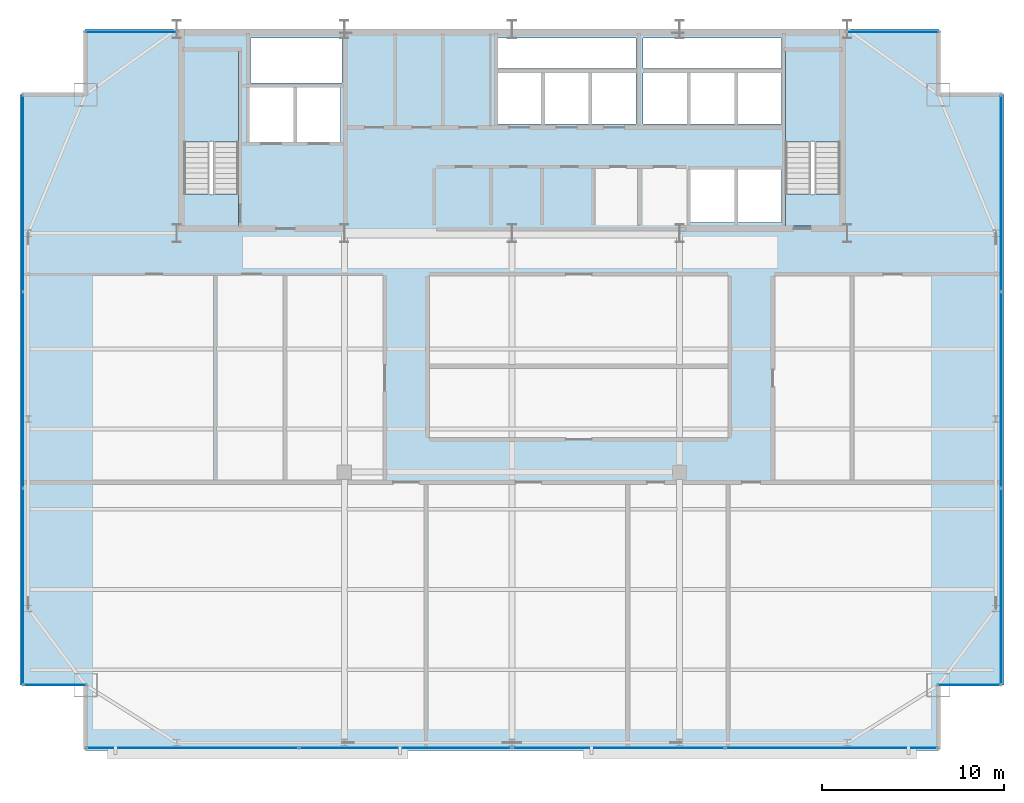
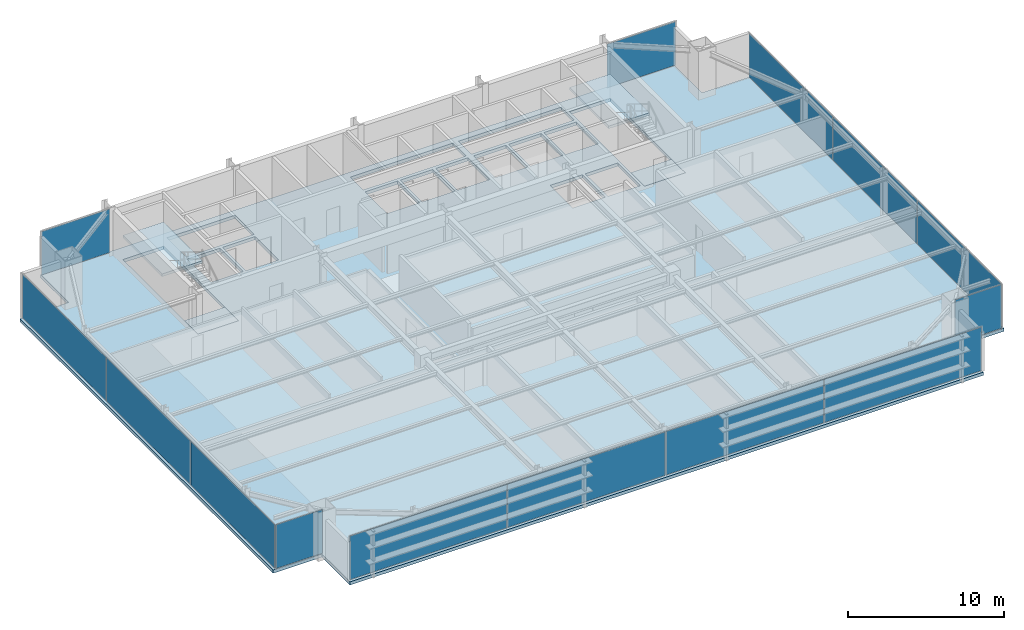
# One storey, part 22 of 29: 14 plates, 5 slabs, 9 elements without a shape of their own.
"""IFC4 building model written with IfcOpenShell, lengths in metres."""

from ifc_helpers import new_model, si_unit, direction, frame, origin, origin_2d, place, context, subcontext, project, spatial, polyline, rectangle, outline, extrude, source, transform, mapped, material, layer, layer_set, type_object, type_shapes, element, aggregate, save


model = new_model("IFC4")

# Units and contexts
model_context = context("Model", 3, precision=1e-05, world=origin(), true_north=direction((0.0, 1.0)))
body_context = subcontext(model_context, "Body", "Model", "MODEL_VIEW")
ifc_project = project(units=[si_unit("LENGTHUNIT", "METRE"), si_unit("AREAUNIT", "SQUARE_METRE"), si_unit("VOLUMEUNIT", "CUBIC_METRE"), si_unit("PLANEANGLEUNIT", "RADIAN"), si_unit("MASSUNIT", "GRAM", prefix="KILO")], contexts=[model_context])

# Site, building, storey
site_placement = place(None, origin())
site = spatial("IfcSite", under=ifc_project, at=site_placement, CompositionType="ELEMENT")
building_placement = place(site_placement, origin())
building = spatial("IfcBuilding", under=site, at=building_placement, Name="Varnel Quay Broadcast Tower", CompositionType="ELEMENT")
storey_placement = place(building_placement, frame((0.0, 0.0, 187.60009765625)))
storey = spatial("IfcBuildingStorey", under=building, at=storey_placement, Name="L46", CompositionType="ELEMENT", Elevation=187.60009765625)

# Slabs
ifc_material_1 = material(Name="Concrete CSA A23.3 C50/60", Category="concrete")
ifc_layer_1 = layer(ifc_material_1, 0.25, Name="Concrete CSA A23.3 C50/60")
ifc_layer_set_1 = layer_set([ifc_layer_1], Name="Concrete CSA A23.3 C50/60")
slab_type_1 = type_object("IfcSlabType", Name="Slab_Floor250", PredefinedType="FLOOR", material=ifc_layer_set_1)
slab_1_placement = place(storey_placement, frame((0.0, 0.0, -0.25)))
element("IfcSlab", 1, at=slab_1_placement, inside=storey, type_object=slab_type_1, Name="L46 Structural Slab", PredefinedType="FLOOR", context=body_context, shape_type="SweptSolid", body=[
    extrude(outline(polyline([(10.60009765625, 7.199951171875), (57.39990234375, 7.199951171875), (57.39990234375, 10.800048828125), (61.0, 10.800048828125), (61.0, 43.199951171875), (57.39990234375, 43.199951171875), (57.39990234375, 46.800048828125), (10.60009765625, 46.800048828125), (10.60009765625, 43.199951171875), (7.0, 43.199951171875), (7.0, 10.800048828125), (10.60009765625, 10.800048828125), (10.60009765625, 7.199951171875)]), holes=[polyline([(19.0, 36.0), (16.0, 36.0), (16.0, 45.60009765625), (19.0, 45.60009765625), (19.0, 36.0)]), polyline([(19.60009765625, 43.60009765625), (22.0, 43.60009765625), (22.0, 40.60009765625), (19.60009765625, 40.60009765625), (19.60009765625, 43.60009765625)]), polyline([(22.199951171875, 43.60009765625), (24.60009765625, 43.60009765625), (24.60009765625, 40.60009765625), (22.199951171875, 40.60009765625), (22.199951171875, 43.60009765625)]), polyline([(33.199951171875, 44.39990234375), (35.60009765625, 44.39990234375), (35.60009765625, 41.60009765625), (33.199951171875, 41.60009765625), (33.199951171875, 44.39990234375)]), polyline([(35.800048828125, 44.39990234375), (38.199951171875, 44.39990234375), (38.199951171875, 41.60009765625), (35.800048828125, 41.60009765625), (35.800048828125, 44.39990234375)]), polyline([(38.39990234375, 44.39990234375), (40.800048828125, 44.39990234375), (40.800048828125, 41.60009765625), (38.39990234375, 41.60009765625), (38.39990234375, 44.39990234375)]), polyline([(19.64990234375, 46.300048828125), (24.679931640625, 46.300048828125), (24.679931640625, 43.85009765625), (19.64990234375, 43.85009765625), (19.64990234375, 46.300048828125)]), polyline([(33.199951171875, 46.300048828125), (40.800048828125, 46.300048828125), (40.800048828125, 44.64990234375), (33.199951171875, 44.64990234375), (33.199951171875, 46.300048828125)]), polyline([(43.800048828125, 39.10009765625), (46.199951171875, 39.10009765625), (46.199951171875, 36.199951171875), (43.800048828125, 36.199951171875), (43.800048828125, 39.10009765625)]), polyline([(46.39990234375, 39.10009765625), (48.800048828125, 39.10009765625), (48.800048828125, 36.199951171875), (46.39990234375, 36.199951171875), (46.39990234375, 39.10009765625)]), polyline([(49.0, 36.0), (49.0, 45.60009765625), (52.0, 45.60009765625), (52.0, 36.0), (49.0, 36.0)]), polyline([(41.199951171875, 44.39990234375), (43.60009765625, 44.39990234375), (43.60009765625, 41.60009765625), (41.199951171875, 41.60009765625), (41.199951171875, 44.39990234375)]), polyline([(43.800048828125, 44.39990234375), (46.199951171875, 44.39990234375), (46.199951171875, 41.60009765625), (43.800048828125, 41.60009765625), (43.800048828125, 44.39990234375)]), polyline([(46.39990234375, 44.39990234375), (48.800048828125, 44.39990234375), (48.800048828125, 41.60009765625), (46.39990234375, 41.60009765625), (46.39990234375, 44.39990234375)]), polyline([(41.199951171875, 46.300048828125), (48.800048828125, 46.300048828125), (48.800048828125, 44.64990234375), (41.199951171875, 44.64990234375), (41.199951171875, 46.300048828125)])]), origin(), (0.0, 0.0, 1.0), 0.25),
])
ifc_layer_2 = layer(ifc_material_1, 0.25, Name="Concrete CSA A23.3 C50/60")
ifc_layer_set_2 = layer_set([ifc_layer_2], Name="Concrete CSA A23.3 C50/60")
slab_type_2 = type_object("IfcSlabType", Name="Slab_StairFloorLanding250", PredefinedType="FLOOR", material=ifc_layer_set_2)
slab_2_placement = place(storey_placement, frame((0.0, 0.0, -0.25)))
element("IfcSlab", 2, at=slab_2_placement, inside=storey, type_object=slab_type_2, Name="L46 ST-01 Structural Floor Landing Slab", PredefinedType="FLOOR", context=body_context, shape_type="SweptSolid", body=[
    extrude(outline(polyline([(19.0, 36.0), (19.0, 37.75), (16.0, 37.75), (16.0, 36.0), (19.0, 36.0)])), origin(), (0.0, 0.0, 1.0), 0.25),
])
slab_3_placement = place(storey_placement, frame((0.0, 0.0, -0.25)))
element("IfcSlab", 3, at=slab_3_placement, inside=storey, type_object=slab_type_2, Name="L46 ST-02 Structural Floor Landing Slab", PredefinedType="FLOOR", context=body_context, shape_type="SweptSolid", body=[
    extrude(outline(polyline([(52.0, 36.0), (52.0, 37.75), (49.0, 37.75), (49.0, 36.0), (52.0, 36.0)])), origin(), (0.0, 0.0, 1.0), 0.25),
])

# Stair, slab
ifc_material_2 = material(Name="Precast Structural Concrete C40/50", Category="concrete")
stair_type_1 = type_object("IfcStairType", Name="Stair_ST-01", PredefinedType="HALF_TURN_STAIR", material=ifc_material_2)
stair_1_placement = place(storey_placement, origin())
stair_1 = element("IfcStair", 4, at=stair_1_placement, inside=storey, type_object=stair_type_1, Name="L46 West Core Exit Stair 1", PredefinedType="HALF_TURN_STAIR")
ifc_layer_3 = layer(ifc_material_2, 0.199951171875, Name="Precast Structural Concrete C40/50")
ifc_layer_set_3 = layer_set([ifc_layer_3], Name="Precast Structural Concrete C40/50")
slab_type_3 = type_object("IfcSlabType", Name="Slab_StairLanding200", PredefinedType="LANDING", material=ifc_layer_set_3)
slab_4_placement = place(storey_placement, frame((0.0, 0.0, 1.699951171875)))
slab_4 = element("IfcSlab", 5, at=slab_4_placement, type_object=slab_type_3, Name="ST-01 landing 1", PredefinedType="LANDING", context=body_context, shape_type="SweptSolid", body=[
    extrude(outline(polyline([(19.0, 40.60009765625), (19.0, 45.60009765625), (16.0, 45.60009765625), (16.0, 40.60009765625), (19.0, 40.60009765625)])), origin(), (0.0, 0.0, 1.0), 0.199951171875),
])
aggregate(stair_1, [slab_4])

stair_type_2 = type_object("IfcStairType", Name="Stair_ST-02", PredefinedType="HALF_TURN_STAIR", material=ifc_material_2)
stair_2_placement = place(storey_placement, origin())
stair_2 = element("IfcStair", 6, at=stair_2_placement, inside=storey, type_object=stair_type_2, Name="L46 East Core Exit Stair 2", PredefinedType="HALF_TURN_STAIR")
slab_5_placement = place(storey_placement, frame((0.0, 0.0, 1.699951171875)))
slab_5 = element("IfcSlab", 7, at=slab_5_placement, type_object=slab_type_3, Name="ST-02 landing 1", PredefinedType="LANDING", context=body_context, shape_type="SweptSolid", body=[
    extrude(outline(polyline([(52.0, 40.60009765625), (52.0, 45.60009765625), (49.0, 45.60009765625), (49.0, 40.60009765625), (52.0, 40.60009765625)])), origin(), (0.0, 0.0, 1.0), 0.199951171875),
])
aggregate(stair_2, [slab_5])

# Curtain wall, plate
ifc_material_3 = material(Name="Anodised Bronze Aluminium 6063-T6", Category="aluminium")
ifc_layer_4 = layer(ifc_material_3, 0.18994140625, Name="Anodised Bronze Aluminium 6063-T6")
ifc_layer_set_4 = layer_set([ifc_layer_4], Name="Anodised Bronze Aluminium 6063-T6")
curtain_wall_type_1 = type_object("IfcCurtainWallType", Name="CW_NotchCorner", PredefinedType="NOTDEFINED", material=ifc_layer_set_4)
curtain_wall_1_placement = place(storey_placement, origin())
curtain_wall_1 = element("IfcCurtainWall", 8, at=curtain_wall_1_placement, inside=storey, type_object=curtain_wall_type_1, Name="L46 SW Notch Curtain Wall", PredefinedType="NOTDEFINED")
ifc_material_4 = material(Name="Triple-Glazed Bronze Low-E Architectural Glass", Category="glass")
ifc_layer_5 = layer(ifc_material_4, 0.028076171875, Name="Triple-Glazed Bronze Low-E Architectural Glass")
ifc_layer_set_5 = layer_set([ifc_layer_5], Name="Triple-Glazed Bronze Low-E Architectural Glass")
plate_type_1 = type_object("IfcPlateType", Name="Panel_CWS-04", PredefinedType="CURTAIN_PANEL", material=ifc_layer_set_5)
shared_shape_1 = source(origin(), body_context, "Body", "SweptSolid", [
    extrude(rectangle(XDim=3.409912109375, YDim=0.028076171875, at=origin_2d()), origin(), (0.0, 0.0, 1.0), 3.409912109375),
])
type_shapes(plate_type_1, [shared_shape_1])
plate_1_placement = place(storey_placement, frame((8.9150390625, 10.800048828125, 0.05517578125), z_axis=(0.0, 0.0, 1.0), x_axis=(1.0, 0.0, 0.0)))
plate_1 = element("IfcPlate", 9, at=plate_1_placement, type_object=plate_type_1, Name="CWS-04 panel 1.1", PredefinedType="CURTAIN_PANEL", context=body_context, shape_type="MappedRepresentation", body=[
    mapped(shared_shape_1, transform((0.0, 0.0, 0.0), x_axis=(1.0, 0.0, 0.0), y_axis=(0.0, 1.0, 0.0), z_axis=(0.0, 0.0, 1.0), scale=1.0)),
])
aggregate(curtain_wall_1, [plate_1])

curtain_wall_2_placement = place(storey_placement, origin())
curtain_wall_2 = element("IfcCurtainWall", 10, at=curtain_wall_2_placement, inside=storey, type_object=curtain_wall_type_1, Name="L46 SE Notch Curtain Wall", PredefinedType="NOTDEFINED")
plate_2_placement = place(storey_placement, frame((59.0849609375, 10.800048828125, 0.05517578125), z_axis=(0.0, 0.0, 1.0), x_axis=(1.0, 0.0, 0.0)))
plate_2 = element("IfcPlate", 11, at=plate_2_placement, type_object=plate_type_1, Name="CWS-04 panel 1.1", PredefinedType="CURTAIN_PANEL", context=body_context, shape_type="MappedRepresentation", body=[
    mapped(shared_shape_1, transform((0.0, 0.0, 0.0), x_axis=(1.0, 0.0, 0.0), y_axis=(0.0, 1.0, 0.0), z_axis=(0.0, 0.0, 1.0), scale=1.0)),
])
aggregate(curtain_wall_2, [plate_2])

# Curtain wall, plates
ifc_layer_6 = layer(ifc_material_3, 0.18994140625, Name="Anodised Bronze Aluminium 6063-T6")
ifc_layer_set_6 = layer_set([ifc_layer_6], Name="Anodised Bronze Aluminium 6063-T6")
curtain_wall_type_2 = type_object("IfcCurtainWallType", Name="CW_UpperTower", PredefinedType="NOTDEFINED", material=ifc_layer_set_6)
curtain_wall_3_placement = place(storey_placement, origin())
curtain_wall_3 = element("IfcCurtainWall", 12, at=curtain_wall_3_placement, inside=storey, type_object=curtain_wall_type_2, Name="L46 South Unitised Curtain Wall 1", PredefinedType="NOTDEFINED")
ifc_layer_7 = layer(ifc_material_4, 0.030029296875, Name="Triple-Glazed Bronze Low-E Architectural Glass")
ifc_layer_set_7 = layer_set([ifc_layer_7], Name="Triple-Glazed Bronze Low-E Architectural Glass")
plate_type_2 = type_object("IfcPlateType", Name="Panel_CWS-03", PredefinedType="CURTAIN_PANEL", material=ifc_layer_set_7)
shared_shape_2 = source(origin(), body_context, "Body", "SweptSolid", [
    extrude(rectangle(XDim=11.6025390625, YDim=0.030029296875, at=origin_2d()), origin(), (0.0, 0.0, 1.0), 3.39990234375),
])
plate_3_placement = place(storey_placement, frame((16.46630859375, 7.35009765625, 0.06005859375), z_axis=(0.0, 0.0, 1.0), x_axis=(1.0, 0.0, 0.0)))
plate_3 = element("IfcPlate", 13, at=plate_3_placement, type_object=plate_type_2, Name="CWS-03 panel 1.1", PredefinedType="CURTAIN_PANEL", context=body_context, shape_type="MappedRepresentation", body=[
    mapped(shared_shape_2, transform((0.0, 0.0, 0.0), x_axis=(1.0, 0.0, 0.0), y_axis=(0.0, 1.0, 0.0), z_axis=(0.0, 0.0, 1.0), scale=1.0)),
])
plate_4_placement = place(storey_placement, frame((51.53369140625, 7.35009765625, 0.06005859375), z_axis=(0.0, 0.0, 1.0), x_axis=(1.0, 0.0, 0.0)))
plate_4 = element("IfcPlate", 14, at=plate_4_placement, type_object=plate_type_2, Name="CWS-03 panel 4.1", PredefinedType="CURTAIN_PANEL", context=body_context, shape_type="MappedRepresentation", body=[
    mapped(shared_shape_2, transform((0.0, 0.0, 0.0), x_axis=(1.0, 0.0, 0.0), y_axis=(0.0, 1.0, 0.0), z_axis=(0.0, 0.0, 1.0), scale=1.0)),
])
ifc_material_5 = material(Name="Insulated Bronze Spandrel Glass", Category="glass")
ifc_layer_8 = layer(ifc_material_5, 0.030029296875, Name="Insulated Bronze Spandrel Glass")
ifc_layer_set_8 = layer_set([ifc_layer_8], Name="Insulated Bronze Spandrel Glass")
plate_type_3 = type_object("IfcPlateType", Name="PanelSp_CWS-03", PredefinedType="CURTAIN_PANEL", material=ifc_layer_set_8)
shared_shape_3 = source(origin(), body_context, "Body", "SweptSolid", [
    extrude(rectangle(XDim=11.635009765625, YDim=0.030029296875, at=origin_2d()), origin(), (0.0, 0.0, 1.0), 3.39990234375),
])
plate_5_placement = place(storey_placement, frame((28.14990234375, 7.35009765625, 0.06005859375), z_axis=(0.0, 0.0, 1.0), x_axis=(1.0, 0.0, 0.0)))
plate_5 = element("IfcPlate", 15, at=plate_5_placement, type_object=plate_type_3, Name="CWS-03 panel 2.1", PredefinedType="CURTAIN_PANEL", context=body_context, shape_type="MappedRepresentation", body=[
    mapped(shared_shape_3, transform((0.0, 0.0, 0.0), x_axis=(1.0, 0.0, 0.0), y_axis=(0.0, 1.0, 0.0), z_axis=(0.0, 0.0, 1.0), scale=1.0)),
])
plate_6_placement = place(storey_placement, frame((39.85009765625, 7.35009765625, 0.06005859375), z_axis=(0.0, 0.0, 1.0), x_axis=(1.0, 0.0, 0.0)))
plate_6 = element("IfcPlate", 16, at=plate_6_placement, type_object=plate_type_3, Name="CWS-03 panel 3.1", PredefinedType="CURTAIN_PANEL", context=body_context, shape_type="MappedRepresentation", body=[
    mapped(shared_shape_3, transform((0.0, 0.0, 0.0), x_axis=(1.0, 0.0, 0.0), y_axis=(0.0, 1.0, 0.0), z_axis=(0.0, 0.0, 1.0), scale=1.0)),
])
aggregate(curtain_wall_3, [plate_3, plate_5, plate_6, plate_4])

curtain_wall_4_placement = place(storey_placement, origin())
curtain_wall_4 = element("IfcCurtainWall", 17, at=curtain_wall_4_placement, inside=storey, type_object=curtain_wall_type_2, Name="L46 West Unitised Curtain Wall", PredefinedType="NOTDEFINED")
shared_shape_4 = source(origin(), body_context, "Body", "SweptSolid", [
    extrude(rectangle(XDim=10.702392578125, YDim=0.030029296875, at=origin_2d()), origin(), (0.0, 0.0, 1.0), 3.39990234375),
])
plate_7_placement = place(storey_placement, frame((7.14990234375, 16.21630859375, 0.06005859375), z_axis=(0.0, 0.0, 1.0), x_axis=(0.0, 1.0, 0.0)))
plate_7 = element("IfcPlate", 18, at=plate_7_placement, type_object=plate_type_3, Name="CWS-03 panel 1.1", PredefinedType="CURTAIN_PANEL", context=body_context, shape_type="MappedRepresentation", body=[
    mapped(shared_shape_4, transform((0.0, 0.0, 0.0), x_axis=(1.0, 0.0, 0.0), y_axis=(0.0, 1.0, 0.0), z_axis=(0.0, 0.0, 1.0), scale=1.0)),
])
plate_8_placement = place(storey_placement, frame((7.14990234375, 37.78369140625, 0.06005859375), z_axis=(0.0, 0.0, 1.0), x_axis=(0.0, 1.0, 0.0)))
plate_8 = element("IfcPlate", 19, at=plate_8_placement, type_object=plate_type_3, Name="CWS-03 panel 3.1", PredefinedType="CURTAIN_PANEL", context=body_context, shape_type="MappedRepresentation", body=[
    mapped(shared_shape_4, transform((0.0, 0.0, 0.0), x_axis=(1.0, 0.0, 0.0), y_axis=(0.0, 1.0, 0.0), z_axis=(0.0, 0.0, 1.0), scale=1.0)),
])

curtain_wall_5_placement = place(storey_placement, origin())
curtain_wall_5 = element("IfcCurtainWall", 20, at=curtain_wall_5_placement, inside=storey, type_object=curtain_wall_type_2, Name="L46 East Unitised Curtain Wall", PredefinedType="NOTDEFINED")
plate_9_placement = place(storey_placement, frame((60.85009765625, 16.21630859375, 0.06005859375), z_axis=(0.0, 0.0, 1.0), x_axis=(0.0, 1.0, 0.0)))
plate_9 = element("IfcPlate", 21, at=plate_9_placement, type_object=plate_type_3, Name="CWS-03 panel 1.1", PredefinedType="CURTAIN_PANEL", context=body_context, shape_type="MappedRepresentation", body=[
    mapped(shared_shape_4, transform((0.0, 0.0, 0.0), x_axis=(1.0, 0.0, 0.0), y_axis=(0.0, 1.0, 0.0), z_axis=(0.0, 0.0, 1.0), scale=1.0)),
])
plate_10_placement = place(storey_placement, frame((60.85009765625, 37.78369140625, 0.06005859375), z_axis=(0.0, 0.0, 1.0), x_axis=(0.0, 1.0, 0.0)))
plate_10 = element("IfcPlate", 22, at=plate_10_placement, type_object=plate_type_3, Name="CWS-03 panel 3.1", PredefinedType="CURTAIN_PANEL", context=body_context, shape_type="MappedRepresentation", body=[
    mapped(shared_shape_4, transform((0.0, 0.0, 0.0), x_axis=(1.0, 0.0, 0.0), y_axis=(0.0, 1.0, 0.0), z_axis=(0.0, 0.0, 1.0), scale=1.0)),
])

# Plate
shared_shape_5 = source(origin(), body_context, "Body", "SweptSolid", [
    extrude(rectangle(XDim=10.735107421875, YDim=0.030029296875, at=origin_2d()), origin(), (0.0, 0.0, 1.0), 3.39990234375),
])
type_shapes(plate_type_3, [shared_shape_3, shared_shape_4, shared_shape_5])
plate_11_placement = place(storey_placement, frame((7.14990234375, 27.0, 0.06005859375), z_axis=(0.0, 0.0, 1.0), x_axis=(0.0, 1.0, 0.0)))
plate_11 = element("IfcPlate", 23, at=plate_11_placement, type_object=plate_type_3, Name="CWS-03 panel 2.1", PredefinedType="CURTAIN_PANEL", context=body_context, shape_type="MappedRepresentation", body=[
    mapped(shared_shape_5, transform((0.0, 0.0, 0.0), x_axis=(1.0, 0.0, 0.0), y_axis=(0.0, 1.0, 0.0), z_axis=(0.0, 0.0, 1.0), scale=1.0)),
])

aggregate(curtain_wall_4, [plate_7, plate_11, plate_8])

plate_12_placement = place(storey_placement, frame((60.85009765625, 27.0, 0.06005859375), z_axis=(0.0, 0.0, 1.0), x_axis=(0.0, 1.0, 0.0)))
plate_12 = element("IfcPlate", 24, at=plate_12_placement, type_object=plate_type_3, Name="CWS-03 panel 2.1", PredefinedType="CURTAIN_PANEL", context=body_context, shape_type="MappedRepresentation", body=[
    mapped(shared_shape_5, transform((0.0, 0.0, 0.0), x_axis=(1.0, 0.0, 0.0), y_axis=(0.0, 1.0, 0.0), z_axis=(0.0, 0.0, 1.0), scale=1.0)),
])

aggregate(curtain_wall_5, [plate_9, plate_12, plate_10])

# Curtain wall, plate
curtain_wall_6_placement = place(storey_placement, origin())
curtain_wall_6 = element("IfcCurtainWall", 25, at=curtain_wall_6_placement, inside=storey, type_object=curtain_wall_type_2, Name="L46 NW Wing Curtain Wall", PredefinedType="NOTDEFINED")
shared_shape_6 = source(origin(), body_context, "Body", "SweptSolid", [
    extrude(rectangle(XDim=5.050048828125, YDim=0.030029296875, at=origin_2d()), origin(), (0.0, 0.0, 1.0), 3.39990234375),
])
type_shapes(plate_type_2, [shared_shape_2, shared_shape_6])
plate_13_placement = place(storey_placement, frame((13.110107421875, 46.64990234375, 0.06005859375), z_axis=(0.0, 0.0, 1.0), x_axis=(1.0, 0.0, 0.0)))
plate_13 = element("IfcPlate", 26, at=plate_13_placement, type_object=plate_type_2, Name="CWS-03 panel 1.1", PredefinedType="CURTAIN_PANEL", context=body_context, shape_type="MappedRepresentation", body=[
    mapped(shared_shape_6, transform((0.0, 0.0, 0.0), x_axis=(1.0, 0.0, 0.0), y_axis=(0.0, 1.0, 0.0), z_axis=(0.0, 0.0, 1.0), scale=1.0)),
])
aggregate(curtain_wall_6, [plate_13])

curtain_wall_7_placement = place(storey_placement, origin())
curtain_wall_7 = element("IfcCurtainWall", 27, at=curtain_wall_7_placement, inside=storey, type_object=curtain_wall_type_2, Name="L46 NE Wing Curtain Wall", PredefinedType="NOTDEFINED")
plate_14_placement = place(storey_placement, frame((54.889892578125, 46.64990234375, 0.06005859375), z_axis=(0.0, 0.0, 1.0), x_axis=(1.0, 0.0, 0.0)))
plate_14 = element("IfcPlate", 28, at=plate_14_placement, type_object=plate_type_2, Name="CWS-03 panel 1.1", PredefinedType="CURTAIN_PANEL", context=body_context, shape_type="MappedRepresentation", body=[
    mapped(shared_shape_6, transform((0.0, 0.0, 0.0), x_axis=(1.0, 0.0, 0.0), y_axis=(0.0, 1.0, 0.0), z_axis=(0.0, 0.0, 1.0), scale=1.0)),
])
aggregate(curtain_wall_7, [plate_14])

save(model, "model.ifc")
